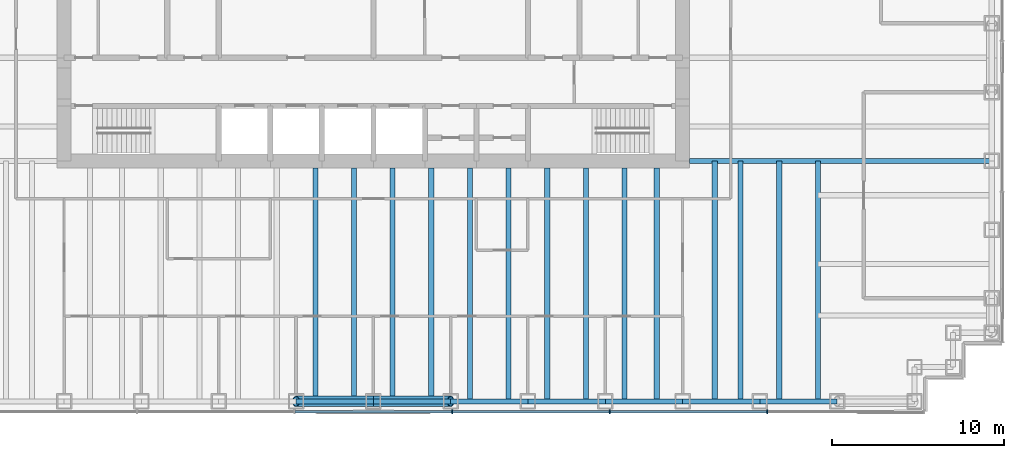
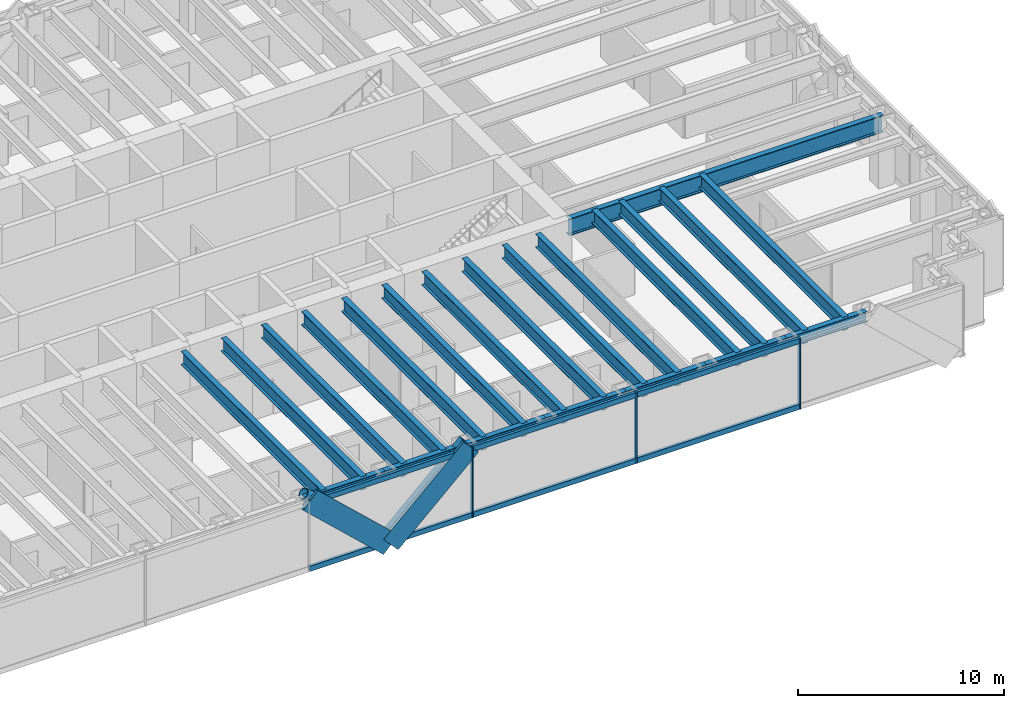
# One storey, part 3 of 15: 22 beams, 13 members, 1 element without a shape of its own.
"""IFC4 building model written with IfcOpenShell, lengths in metres."""

from ifc_helpers import new_model, si_unit, direction, frame, origin, origin_2d, place, context, subcontext, project, spatial, rectangle, hollow_circle, i_section, extrude, material, material_profile, profile_set, type_object, element, aggregate, save


model = new_model("IFC4")

# Units and contexts
model_context = context("Model", 3, precision=1e-05, world=origin(), true_north=direction((0.0, 1.0)))
body_context = subcontext(model_context, "Body", "Model", "MODEL_VIEW")
ifc_project = project(units=[si_unit("LENGTHUNIT", "METRE"), si_unit("AREAUNIT", "SQUARE_METRE"), si_unit("VOLUMEUNIT", "CUBIC_METRE"), si_unit("PLANEANGLEUNIT", "RADIAN"), si_unit("MASSUNIT", "GRAM", prefix="KILO")], contexts=[model_context])

# Site, building, storey
site_placement = place(None, origin())
site = spatial("IfcSite", under=ifc_project, at=site_placement, CompositionType="ELEMENT")
building_placement = place(site_placement, origin())
building = spatial("IfcBuilding", under=site, at=building_placement, Name="Rheinbord Bourse Tower", CompositionType="ELEMENT")
storey_placement = place(building_placement, frame((0.0, 0.0, 215.199951171875)))
storey = spatial("IfcBuildingStorey", under=building, at=storey_placement, Name="L48", CompositionType="ELEMENT", Elevation=215.199951171875)

# Curtain wall, members
ifc_material_1 = material(Name="Dark glass and black aluminium", Category="aluminium")
curtain_wall_type = type_object("IfcCurtainWallType", Name="CW2 DARK GLASS CURTAIN WALL", PredefinedType="USERDEFINED", material=ifc_material_1)
curtain_wall_placement = place(storey_placement, origin())
curtain_wall = element("IfcCurtainWall", 1, at=curtain_wall_placement, inside=storey, type_object=curtain_wall_type, Name="Curtain wall CW2 S L48", ObjectType="UNITISED CURTAIN WALL", PredefinedType="USERDEFINED")
ifc_material_2 = material(Name="Black anodised aluminium", Category="aluminium")
ifc_material_profile_1 = material_profile(ifc_material_2, rectangle(XDim=0.159912109375, YDim=1.2099609375, at=origin_2d()), Name="CW2 DIAGONAL MULLION 1210x160")
ifc_profile_set_1 = profile_set([ifc_material_profile_1], Name="Black anodised aluminium")
member_type_1 = type_object("IfcMemberType", Name="CW2 BLACK DIAGONAL MULLION", PredefinedType="USERDEFINED", material=ifc_profile_set_1)
member_1_placement = place(storey_placement, frame((36.0, 1.39990234375, 0.0), z_axis=(-0.73105922506, 0.0, 0.682314010889), x_axis=(0.0, -1.0, 0.0)))
member_1 = element("IfcMember", 2, at=member_1_placement, type_object=member_type_1, Name="CW2 diagonal mullion a", ObjectType="DIAGONAL MULLION", PredefinedType="USERDEFINED", context=body_context, shape_type="SweptSolid", body=[
    extrude(rectangle(XDim=0.159912109375, YDim=1.2099609375, at=origin_2d()), origin(), (0.0, 0.0, 1.0), 6.155517578125),
])
member_2_placement = place(storey_placement, frame((36.0, 1.39990234375, 0.0), z_axis=(0.73105922506, 0.0, 0.682314010889), x_axis=(0.0, 1.0, 0.0)))
member_2 = element("IfcMember", 3, at=member_2_placement, type_object=member_type_1, Name="CW2 diagonal mullion b", ObjectType="DIAGONAL MULLION", PredefinedType="USERDEFINED", context=body_context, shape_type="SweptSolid", body=[
    extrude(rectangle(XDim=0.159912109375, YDim=1.2099609375, at=origin_2d()), origin(), (0.0, 0.0, 1.0), 6.155517578125),
])
ifc_material_3 = material(Name="Black anodised aluminium", Category="aluminium")
ifc_material_profile_2 = material_profile(ifc_material_3, rectangle(XDim=0.219970703125, YDim=0.070068359375, at=origin_2d()), Name="CW2 MULLION 70x220")
ifc_profile_set_2 = profile_set([ifc_material_profile_2], Name="Black anodised aluminium")
member_type_2 = type_object("IfcMemberType", Name="CW2 BLACK MULLION", PredefinedType="MULLION", material=ifc_profile_set_2)
member_3_placement = place(storey_placement, frame((40.585693359375, 1.39990234375, 0.0), z_axis=(0.0, 0.0, 1.0), x_axis=(0.0, 1.0, 0.0)))
member_3 = element("IfcMember", 4, at=member_3_placement, type_object=member_type_2, Name="CW2 mullion 5", PredefinedType="MULLION", context=body_context, shape_type="SweptSolid", body=[
    extrude(rectangle(XDim=0.219970703125, YDim=0.070068359375, at=origin_2d()), origin(), (0.0, 0.0, 1.0), 4.199951171875),
])
member_4_placement = place(storey_placement, frame((49.757080078125, 1.39990234375, 0.0), z_axis=(0.0, 0.0, 1.0), x_axis=(0.0, 1.0, 0.0)))
member_4 = element("IfcMember", 5, at=member_4_placement, type_object=member_type_2, Name="CW2 mullion 6", PredefinedType="MULLION", context=body_context, shape_type="SweptSolid", body=[
    extrude(rectangle(XDim=0.219970703125, YDim=0.070068359375, at=origin_2d()), origin(), (0.0, 0.0, 1.0), 4.199951171875),
])
member_5_placement = place(storey_placement, frame((58.928466796875, 1.39990234375, 0.0), z_axis=(0.0, 0.0, 1.0), x_axis=(0.0, 1.0, 0.0)))
member_5 = element("IfcMember", 6, at=member_5_placement, type_object=member_type_2, Name="CW2 mullion 7", PredefinedType="MULLION", context=body_context, shape_type="SweptSolid", body=[
    extrude(rectangle(XDim=0.219970703125, YDim=0.070068359375, at=origin_2d()), origin(), (0.0, 0.0, 1.0), 4.199951171875),
])
ifc_material_4 = material(Name="Black anodised aluminium", Category="aluminium")
ifc_material_profile_3 = material_profile(ifc_material_4, rectangle(XDim=0.159912109375, YDim=0.300048828125, at=origin_2d()), Name="CW2 TRANSOM 300x160")
ifc_profile_set_3 = profile_set([ifc_material_profile_3], Name="Black anodised aluminium")
member_type_3 = type_object("IfcMemberType", Name="CW2 BLACK TRANSOM", PredefinedType="USERDEFINED", material=ifc_profile_set_3)
member_6_placement = place(storey_placement, frame((31.44921875, 1.39990234375, 0.150146484375), z_axis=(1.0, 0.0, 0.0), x_axis=(0.0, 1.0, 0.0)))
member_6 = element("IfcMember", 7, at=member_6_placement, type_object=member_type_3, Name="CW2 transom 4.1", ObjectType="TRANSOM", PredefinedType="USERDEFINED", context=body_context, shape_type="SweptSolid", body=[
    extrude(rectangle(XDim=0.159912109375, YDim=0.300048828125, at=origin_2d()), origin(), (0.0, 0.0, 1.0), 9.1015625),
])
member_7_placement = place(storey_placement, frame((31.44921875, 1.39990234375, 4.050048828125), z_axis=(1.0, 0.0, 0.0), x_axis=(0.0, 1.0, 0.0)))
member_7 = element("IfcMember", 8, at=member_7_placement, type_object=member_type_3, Name="CW2 transom 4.2", ObjectType="TRANSOM", PredefinedType="USERDEFINED", context=body_context, shape_type="SweptSolid", body=[
    extrude(rectangle(XDim=0.159912109375, YDim=0.300048828125, at=origin_2d()), origin(), (0.0, 0.0, 1.0), 9.1015625),
])
member_8_placement = place(storey_placement, frame((40.62060546875, 1.39990234375, 0.150146484375), z_axis=(1.0, 0.0, 0.0), x_axis=(0.0, 1.0, 0.0)))
member_8 = element("IfcMember", 9, at=member_8_placement, type_object=member_type_3, Name="CW2 transom 5.1", ObjectType="TRANSOM", PredefinedType="USERDEFINED", context=body_context, shape_type="SweptSolid", body=[
    extrude(rectangle(XDim=0.159912109375, YDim=0.300048828125, at=origin_2d()), origin(), (0.0, 0.0, 1.0), 9.1015625),
])
member_9_placement = place(storey_placement, frame((40.62060546875, 1.39990234375, 4.050048828125), z_axis=(1.0, 0.0, 0.0), x_axis=(0.0, 1.0, 0.0)))
member_9 = element("IfcMember", 10, at=member_9_placement, type_object=member_type_3, Name="CW2 transom 5.2", ObjectType="TRANSOM", PredefinedType="USERDEFINED", context=body_context, shape_type="SweptSolid", body=[
    extrude(rectangle(XDim=0.159912109375, YDim=0.300048828125, at=origin_2d()), origin(), (0.0, 0.0, 1.0), 9.1015625),
])
member_10_placement = place(storey_placement, frame((49.792236328125, 1.39990234375, 0.150146484375), z_axis=(1.0, 0.0, 0.0), x_axis=(0.0, 1.0, 0.0)))
member_10 = element("IfcMember", 11, at=member_10_placement, type_object=member_type_3, Name="CW2 transom 6.1", ObjectType="TRANSOM", PredefinedType="USERDEFINED", context=body_context, shape_type="SweptSolid", body=[
    extrude(rectangle(XDim=0.159912109375, YDim=0.300048828125, at=origin_2d()), origin(), (0.0, 0.0, 1.0), 9.101318359375),
])
member_11_placement = place(storey_placement, frame((49.792236328125, 1.39990234375, 4.050048828125), z_axis=(1.0, 0.0, 0.0), x_axis=(0.0, 1.0, 0.0)))
member_11 = element("IfcMember", 12, at=member_11_placement, type_object=member_type_3, Name="CW2 transom 6.2", ObjectType="TRANSOM", PredefinedType="USERDEFINED", context=body_context, shape_type="SweptSolid", body=[
    extrude(rectangle(XDim=0.159912109375, YDim=0.300048828125, at=origin_2d()), origin(), (0.0, 0.0, 1.0), 9.101318359375),
])
aggregate(curtain_wall, [member_3, member_4, member_5, member_6, member_7, member_8, member_9, member_10, member_11, member_1, member_2])

# Beams
ifc_material_5 = material(Name="Steel S460", Category="steel")
ifc_material_profile_4 = material_profile(ifc_material_5, i_section(OverallWidth=0.300048828125, OverallDepth=0.800048828125, WebThickness=0.017578125, FlangeThickness=0.032958984375, at=origin_2d()), Name="HEB 800")
ifc_profile_set_4 = profile_set([ifc_material_profile_4], Name="Steel S460")
beam_type_1 = type_object("IfcBeamType", Name="FLOOR BEAM HEB 800", PredefinedType="BEAM", material=ifc_profile_set_4)
for number, where, z_axis, x_axis, name in (
    (13, (32.625, 2.0, 3.64013671875), (0.0, 1.0, 0.0), (-1.0, 0.0, 0.0), "Floor beam S-31.5a L49"),
    (14, (34.875, 2.0, 3.64013671875), (0.0, 1.0, 0.0), (-1.0, 0.0, 0.0), "Floor beam S-31.5b L49"),
    (15, (37.125, 2.0, 3.64013671875), (0.0, 1.0, 0.0), (-1.0, 0.0, 0.0), "Floor beam S-36a L49"),
    (16, (39.375, 2.0, 3.64013671875), (0.0, 1.0, 0.0), (-1.0, 0.0, 0.0), "Floor beam S-36b L49"),
    (17, (41.625, 2.0, 3.64013671875), (0.0, 1.0, 0.0), (-1.0, 0.0, 0.0), "Floor beam S-40.5a L49"),
    (18, (43.875, 2.0, 3.64013671875), (0.0, 1.0, 0.0), (-1.0, 0.0, 0.0), "Floor beam S-40.5b L49"),
    (19, (46.125, 2.0, 3.64013671875), (0.0, 1.0, 0.0), (-1.0, 0.0, 0.0), "Floor beam S-45a L49"),
    (20, (48.375, 2.0, 3.64013671875), (0.0, 1.0, 0.0), (-1.0, 0.0, 0.0), "Floor beam S-45b L49"),
    (21, (50.625, 2.0, 3.64013671875), (0.0, 1.0, 0.0), (-1.0, 0.0, 0.0), "Floor beam S-49.5a L49"),
    (22, (52.5, 2.0, 3.64013671875), (0.0, 1.0, 0.0), (-1.0, 0.0, 0.0), "Floor beam S-49.5b L49"),
):
    element("IfcBeam", number, at=place(storey_placement, frame(where, z_axis=z_axis, x_axis=x_axis)), inside=storey, type_object=beam_type_1, Name=name, PredefinedType="BEAM", context=body_context, shape_type="SweptSolid", body=[
        extrude(i_section(OverallWidth=0.300048828125, OverallDepth=0.800048828125, WebThickness=0.017578125, FlangeThickness=0.032958984375, at=origin_2d()), origin(), (0.0, 0.0, 1.0), 13.60009765625),
    ])
for number, where, z_axis, x_axis, name in (
    (23, (55.875, 2.0, 3.64013671875), (0.0, 1.0, 0.0), (-1.0, 0.0, 0.0), "Floor beam S-54a L49"),
    (24, (57.375, 2.0, 3.64013671875), (0.0, 1.0, 0.0), (-1.0, 0.0, 0.0), "Floor beam S-54b L49"),
    (25, (59.625, 2.0, 3.64013671875), (0.0, 1.0, 0.0), (-1.0, 0.0, 0.0), "Floor beam S-58.5a L49"),
    (26, (61.875, 2.0, 3.64013671875), (0.0, 1.0, 0.0), (-1.0, 0.0, 0.0), "Floor beam S-58.5b L49"),
):
    element("IfcBeam", number, at=place(storey_placement, frame(where, z_axis=z_axis, x_axis=x_axis)), inside=storey, type_object=beam_type_1, Name=name, PredefinedType="BEAM", context=body_context, shape_type="SweptSolid", body=[
        extrude(i_section(OverallWidth=0.300048828125, OverallDepth=0.800048828125, WebThickness=0.017578125, FlangeThickness=0.032958984375, at=origin_2d()), origin(), (0.0, 0.0, 1.0), 14.0),
    ])
ifc_material_6 = material(Name="Steel S460", Category="steel")
ifc_material_profile_5 = material_profile(ifc_material_6, i_section(OverallWidth=0.302001953125, OverallDepth=1.008056640625, WebThickness=0.02099609375, FlangeThickness=0.0400390625, at=origin_2d()), Name="HEM 1000")
ifc_profile_set_5 = profile_set([ifc_material_profile_5], Name="Steel S460")
beam_type_2 = type_object("IfcBeamType", Name="GIRDER HEM 1000", PredefinedType="BEAM", material=ifc_profile_set_5)
beam_placement = place(storey_placement, frame((54.39990234375, 16.0, 3.5361328125), z_axis=(1.0, 0.0, 0.0), x_axis=(0.0, 1.0, 0.0)))
element("IfcBeam", 27, at=beam_placement, inside=storey, type_object=beam_type_2, Name="Girder east 16 L49", PredefinedType="BEAM", context=body_context, shape_type="SweptSolid", body=[
    extrude(i_section(OverallWidth=0.302001953125, OverallDepth=1.008056640625, WebThickness=0.02099609375, FlangeThickness=0.0400390625, at=origin_2d()), origin(), (0.0, 0.0, 1.0), 17.60009765625),
])

# Members
ifc_material_7 = material(Name="Steel S460", Category="steel")
ifc_material_profile_6 = material_profile(ifc_material_7, hollow_circle(Radius=0.304931640625, WallThickness=0.0400390625, at=origin_2d()), Name="CHS 610x40")
ifc_profile_set_6 = profile_set([ifc_material_profile_6], Name="Steel S460")
member_type_4 = type_object("IfcMemberType", Name="MEGABRACE CHS 610x40", PredefinedType="BRACE", material=ifc_profile_set_6)
for number, where, z_axis, x_axis, name in (
    (28, (36.0, 2.0, 0.0), (-0.73105922506, 0.0, 0.682314010889), (0.0, -1.0, 0.0), "Megabrace S face line a L48"),
    (29, (36.0, 2.0, 0.0), (0.73105922506, 0.0, 0.682314010889), (0.0, 1.0, 0.0), "Megabrace S face line b L48"),
):
    element("IfcMember", number, at=place(storey_placement, frame(where, z_axis=z_axis, x_axis=x_axis)), inside=storey, type_object=member_type_4, Name=name, PredefinedType="BRACE", context=body_context, shape_type="SweptSolid", body=[
        extrude(hollow_circle(Radius=0.304931640625, WallThickness=0.0400390625, at=origin_2d()), origin(), (0.0, 0.0, 1.0), 6.155517578125),
    ])

# Beams
ifc_material_8 = material(Name="Steel S460", Category="steel")
ifc_material_profile_7 = material_profile(ifc_material_8, i_section(OverallWidth=0.300048828125, OverallDepth=0.60009765625, WebThickness=0.015380859375, FlangeThickness=0.030029296875, at=origin_2d()), Name="HEB 600")
ifc_profile_set_7 = profile_set([ifc_material_profile_7], Name="Steel S460")
beam_type_3 = type_object("IfcBeamType", Name="SPANDREL HEB 600", PredefinedType="SPANDREL", material=ifc_profile_set_7)
for number, where, z_axis, x_axis, name in (
    (30, (31.5, 2.0, 3.739990234375), (1.0, 0.0, 0.0), (0.0, 1.0, 0.0), "Spandrel S-31.5-S-36 under L49"),
    (31, (36.0, 2.0, 3.739990234375), (1.0, 0.0, 0.0), (0.0, 1.0, 0.0), "Spandrel S-36-S-40.5 under L49"),
    (32, (40.5, 2.0, 3.739990234375), (1.0, 0.0, 0.0), (0.0, 1.0, 0.0), "Spandrel S-40.5-S-45 under L49"),
    (33, (45.0, 2.0, 3.739990234375), (1.0, 0.0, 0.0), (0.0, 1.0, 0.0), "Spandrel S-45-S-49.5 under L49"),
    (34, (49.5, 2.0, 3.739990234375), (1.0, 0.0, 0.0), (0.0, 1.0, 0.0), "Spandrel S-49.5-S-54 under L49"),
    (35, (54.0, 2.0, 3.739990234375), (1.0, 0.0, 0.0), (0.0, 1.0, 0.0), "Spandrel S-54-S-58.5 under L49"),
    (36, (58.5, 2.0, 3.739990234375), (1.0, 0.0, 0.0), (0.0, 1.0, 0.0), "Spandrel S-58.5-S-63 under L49"),
):
    element("IfcBeam", number, at=place(storey_placement, frame(where, z_axis=z_axis, x_axis=x_axis)), inside=storey, type_object=beam_type_3, Name=name, PredefinedType="SPANDREL", context=body_context, shape_type="SweptSolid", body=[
        extrude(i_section(OverallWidth=0.300048828125, OverallDepth=0.60009765625, WebThickness=0.015380859375, FlangeThickness=0.030029296875, at=origin_2d()), origin(), (0.0, 0.0, 1.0), 4.5),
    ])

save(model, "model.ifc")
